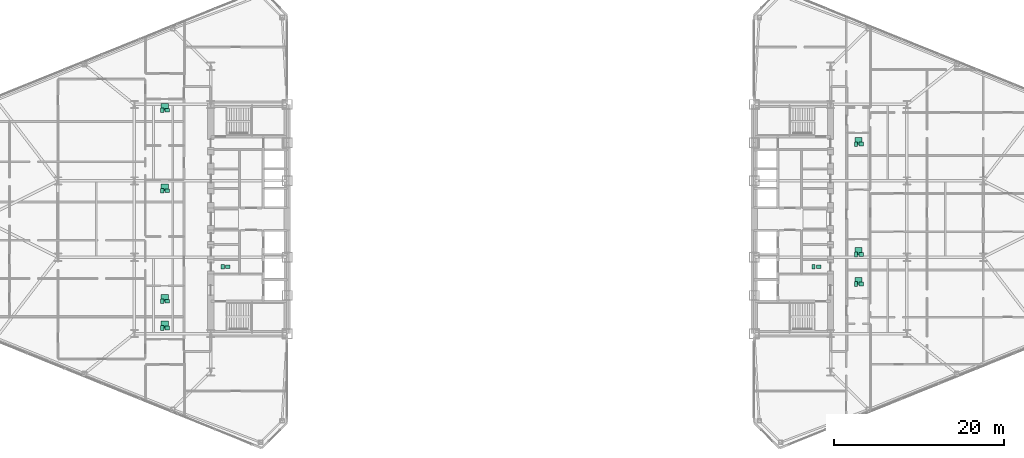
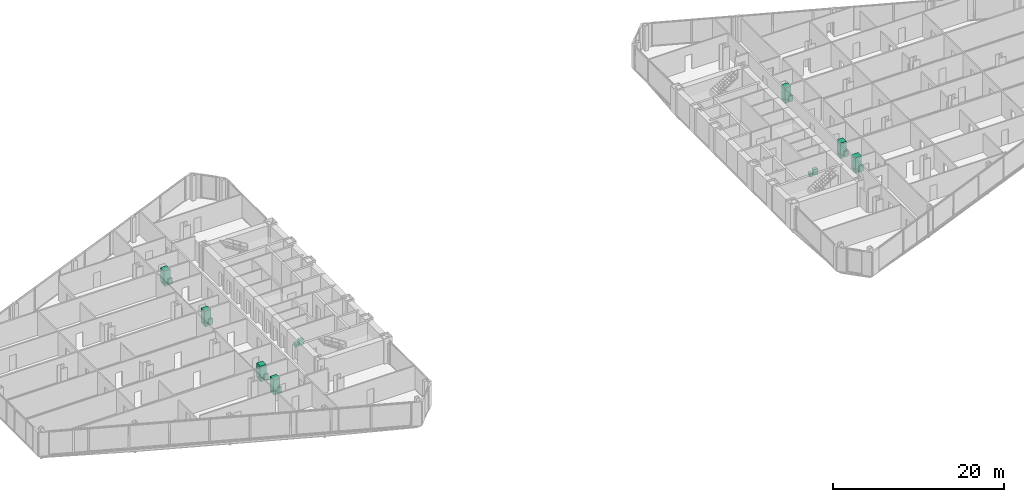
# One storey, part 25 of 25: 25 sanitary terminals.
"""IFC4 building model written with IfcOpenShell, lengths in metres."""

import ifcopenshell
import ifcopenshell.guid

model = None  # the IFC model being written
_history = None  # IfcOwnerHistory: only IFC2X3 demands one
_inside = {}  # id of a spatial element -> (the spatial element, [elements in it])
_under = {}  # id of a project, library or spatial element -> (it, [spatial elements below it])
_declared = {}  # id of a project -> (the project, [libraries it declares])
_typed = {}  # id of a type object -> (the type object, [elements of that type])
_made_of = {}  # id of a material, layer set ... -> (it, [elements and type objects made of it])


def new_model(schema):
    """Start an empty IFC model of exactly this schema.

    Asked for "IFC4X3", IfcOpenShell would pick the latest addendum, in which some entities
    have other attributes; the version numbers below select the first issue.
    IFC2X3 requires an IfcOwnerHistory on every rooted entity: one is made here for all.
    """
    global model, _history
    if schema == "IFC4X3":
        model = ifcopenshell.file(schema_version=(4, 3, 0, 0))
    else:
        model = ifcopenshell.file(schema=schema)
    _inside.clear()
    _under.clear()
    _declared.clear()
    _typed.clear()
    _made_of.clear()
    _history = None
    if model.schema == "IFC2X3":
        org = make("IfcOrganization", Name="unknown")
        user = make(
            "IfcPersonAndOrganization",
            ThePerson=make("IfcPerson", FamilyName="unknown"),
            TheOrganization=org,
        )
        app = make(
            "IfcApplication",
            ApplicationDeveloper=org,
            Version="unknown",
            ApplicationFullName="unknown",
            ApplicationIdentifier="unknown",
        )
        _history = make(
            "IfcOwnerHistory",
            OwningUser=user,
            OwningApplication=app,
            ChangeAction="ADDED",
            CreationDate=0,
        )
    return model


def make(cls, **values):
    """One entity of the class cls with the attributes given. An attribute that is None is left unset."""
    return model.create_entity(
        cls, **{name: value for name, value in values.items() if value is not None}
    )


def rooted(cls, **values):
    """An entity with a GlobalId (a new one), such as an element, a storey or a relation."""
    return make(cls, GlobalId=ifcopenshell.guid.new(), OwnerHistory=_history, **values)


def si_unit(unit_type, name, prefix=None):
    """IfcSIUnit, for example si_unit("LENGTHUNIT", "METRE", prefix="MILLI")."""
    return make("IfcSIUnit", UnitType=unit_type, Prefix=prefix, Name=name)


def assignment(units):
    """IfcUnitAssignment: the units of a project."""
    return None if units is None else make("IfcUnitAssignment", Units=units)


def point(xyz):
    """IfcCartesianPoint."""
    return None if xyz is None else make("IfcCartesianPoint", Coordinates=xyz)


def direction(xyz):
    """IfcDirection."""
    return None if xyz is None else make("IfcDirection", DirectionRatios=xyz)


def frame(location, z_axis=None, x_axis=None):
    """IfcAxis2Placement3D, a coordinate frame: its origin and axes. An axis left out is left unset."""
    return make(
        "IfcAxis2Placement3D",
        Location=point(location),
        Axis=direction(z_axis),
        RefDirection=direction(x_axis),
    )


def frame_2d(location, x_axis=None):
    """IfcAxis2Placement2D, a coordinate frame in the plane: its origin and x axis."""
    return make(
        "IfcAxis2Placement2D", Location=point(location), RefDirection=direction(x_axis)
    )


def origin():
    """The frame at (0, 0, 0) with its axes left unset."""
    return frame((0.0, 0.0, 0.0))


def origin_2d():
    """The frame at (0, 0) in the plane with its x axis left unset."""
    return frame_2d((0.0, 0.0))


def place(relative_to, where):
    """IfcLocalPlacement: puts the frame where relative to a parent placement (None: the world)."""
    return make(
        "IfcLocalPlacement", PlacementRelTo=relative_to, RelativePlacement=where
    )


def context(
    kind, dimensions, precision=None, world=None, true_north=None, identifier=None
):
    """IfcGeometricRepresentationContext, for example the 3D "Model" context."""
    return make(
        "IfcGeometricRepresentationContext",
        ContextIdentifier=identifier,
        ContextType=kind,
        CoordinateSpaceDimension=dimensions,
        Precision=precision,
        WorldCoordinateSystem=world,
        TrueNorth=true_north,
    )


def subcontext(parent, identifier, kind, view, scale=None):
    """IfcGeometricRepresentationSubContext, for example "Body" below "Model"."""
    return make(
        "IfcGeometricRepresentationSubContext",
        ContextIdentifier=identifier,
        ContextType=kind,
        ParentContext=parent,
        TargetScale=scale,
        TargetView=view,
    )


def project(units=None, contexts=None):
    """IfcProject with its units and contexts."""
    return rooted(
        "IfcProject",
        Name="project",
        RepresentationContexts=contexts,
        UnitsInContext=assignment(units),
    )


def spatial(cls, under=None, at=None, **own):
    """A site, building, storey or space (cls), placed at a placement, below another one or the project."""
    s = rooted(cls, ObjectPlacement=at, **own)
    if under is not None:
        _under.setdefault(under.id(), (under, []))[1].append(s)
    return s


def profile(cls, at=None, kind="AREA", **sizes):
    """A parametric profile (cls). Its sizes go by their IFC names, for example OverallWidth=200.0."""
    return make(cls, ProfileType=kind, Position=at, **sizes)


def rectangle(**sizes):
    """IfcRectangleProfileDef."""
    return profile("IfcRectangleProfileDef", **sizes)


def extrude(swept, where, along, depth):
    """IfcExtrudedAreaSolid: the profile swept, set in the frame where, extruded along a direction by depth."""
    return make(
        "IfcExtrudedAreaSolid",
        SweptArea=swept,
        Position=where,
        ExtrudedDirection=direction(along),
        Depth=depth,
    )


def shape(context_of_items, identifier, shape_type, items):
    """IfcShapeRepresentation: the items that make up one representation, for example the "Body"."""
    return make(
        "IfcShapeRepresentation",
        ContextOfItems=context_of_items,
        RepresentationIdentifier=identifier,
        RepresentationType=shape_type,
        Items=items,
    )


def source(mapping_origin, context_of_items, identifier, shape_type, items):
    """IfcRepresentationMap: a shape defined once, which mapped items show again and again."""
    return make(
        "IfcRepresentationMap",
        MappingOrigin=mapping_origin,
        MappedRepresentation=shape(context_of_items, identifier, shape_type, items),
    )


def transform(
    local_origin,
    x_axis=None,
    y_axis=None,
    z_axis=None,
    scale=None,
    scale2=None,
    scale3=None,
    uniform=True,
):
    """IfcCartesianTransformationOperator3D, or its non-uniform kind. x_axis, y_axis, z_axis: its Axis1, 2, 3."""
    if uniform:
        return make(
            "IfcCartesianTransformationOperator3D",
            Axis1=direction(x_axis),
            Axis2=direction(y_axis),
            LocalOrigin=point(local_origin),
            Scale=scale,
            Axis3=direction(z_axis),
        )
    return make(
        "IfcCartesianTransformationOperator3DnonUniform",
        Axis1=direction(x_axis),
        Axis2=direction(y_axis),
        LocalOrigin=point(local_origin),
        Scale=scale,
        Axis3=direction(z_axis),
        Scale2=scale2,
        Scale3=scale3,
    )


def mapped(mapping_source, mapping_target):
    """IfcMappedItem: shows the shape of a source again, moved by a transform."""
    return make(
        "IfcMappedItem", MappingSource=mapping_source, MappingTarget=mapping_target
    )


def material(Name=None, Category=None):
    """IfcMaterial."""
    return make("IfcMaterial", Name=Name, Category=Category)


def made_of(thing, what):
    """Note that an element or type object is made of a material, layer set ...; save() writes the relation."""
    if what is not None:
        _made_of.setdefault(what.id(), (what, []))[1].append(thing)
    return thing


def type_object(cls, material=None, **own):
    """A type object (cls), such as IfcWallType, which elements share."""
    return made_of(rooted(cls, **own), material)


def type_shapes(of_type, sources):
    """Give a type object the sources (RepresentationMaps) that its elements show as mapped items."""
    of_type.RepresentationMaps = sources


def element(
    cls,
    number,
    at=None,
    inside=None,
    cuts=None,
    type_object=None,
    material=None,
    context=None,
    identifier="Body",
    shape_type=None,
    held_by="IfcProductDefinitionShape",
    body=None,
    shapes=None,
    **own,
):
    """One element of the class cls, such as IfcWall. Its Tag is "e" and its number.

    at: its placement. inside: the storey or other place that contains it. cuts: it is an
    opening in that element (IfcRelVoidsElement). A single representation is given by context,
    identifier, shape_type and body (its items); several are given by shapes. held_by: the class
    of the entity that holds the representations. save() writes the other relations.
    """
    e = rooted(cls, Tag="e%d" % number, ObjectPlacement=at, **own)
    if body is not None:
        shapes = [shape(context, identifier, shape_type, body)]
    if shapes is not None:
        e.Representation = make(held_by, Representations=shapes)
    if inside is not None:
        _inside.setdefault(inside.id(), (inside, []))[1].append(e)
    if cuts is not None:
        rooted(
            "IfcRelVoidsElement", RelatingBuildingElement=cuts, RelatedOpeningElement=e
        )
    if type_object is not None:
        _typed.setdefault(type_object.id(), (type_object, []))[1].append(e)
    return made_of(e, material)


def aggregate(whole, parts):
    """IfcRelAggregates: a whole, such as a stair, and the parts it consists of."""
    return rooted("IfcRelAggregates", RelatingObject=whole, RelatedObjects=parts)


def save(model, path):
    """Write the relations noted so far, then the file.

    IfcRelAggregates (storeys below a building ...), IfcRelContainedInSpatialStructure (elements
    in a storey), IfcRelDefinesByType, IfcRelAssociatesMaterial and IfcRelDeclares: one each for
    every whole, place, type object, material and project.
    """
    for whole, parts in _under.values():
        aggregate(whole, parts)
    for where, things in _inside.values():
        rooted(
            "IfcRelContainedInSpatialStructure",
            RelatedElements=things,
            RelatingStructure=where,
        )
    for kind, things in _typed.values():
        rooted("IfcRelDefinesByType", RelatedObjects=things, RelatingType=kind)
    for what, things in _made_of.values():
        rooted("IfcRelAssociatesMaterial", RelatedObjects=things, RelatingMaterial=what)
    for by, libraries in _declared.values():
        rooted("IfcRelDeclares", RelatingContext=by, RelatedDefinitions=libraries)
    model.write(path)


model = new_model("IFC4")

# Units and contexts
model_context = context("Model", 3, precision=1e-05, world=origin(), true_north=direction((0.0, 1.0)))
body_context = subcontext(model_context, "Body", "Model", "MODEL_VIEW")
ifc_project = project(units=[si_unit("LENGTHUNIT", "METRE"), si_unit("AREAUNIT", "SQUARE_METRE"), si_unit("VOLUMEUNIT", "CUBIC_METRE"), si_unit("PLANEANGLEUNIT", "RADIAN"), si_unit("MASSUNIT", "GRAM", prefix="KILO")], contexts=[model_context])

# Site, building, storey
site_placement = place(None, origin())
site = spatial("IfcSite", under=ifc_project, at=site_placement, CompositionType="ELEMENT")
building_placement = place(site_placement, origin())
building = spatial("IfcBuilding", under=site, at=building_placement, Name="Seokmaru Belvedere", CompositionType="ELEMENT")
storey_placement = place(building_placement, frame((0.0, 0.0, 33.300048828125)))
storey = spatial("IfcBuildingStorey", under=building, at=storey_placement, Name="L08", CompositionType="ELEMENT", Elevation=33.300048828125)

# Sanitary terminals
ifc_material_1 = material(Name="Vitreous China Sanitaryware")
sanitary_terminal_type_1 = type_object("IfcSanitaryTerminalType", Name="Wall-Hung Vitreous China WC Pan", PredefinedType="TOILETPAN", material=ifc_material_1)
shared_shape_1 = source(origin(), body_context, "Body", "SweptSolid", [
    extrude(rectangle(XDim=0.3798828125, YDim=0.56005859375, at=origin_2d()), origin(), (0.0, 0.0, 1.0), 0.419921875),
])
type_shapes(sanitary_terminal_type_1, [shared_shape_1])
for number, where, z_axis, x_axis, name in (
    (1, (-35.10009765625, -5.625, 0.0), (0.0, 0.0, 1.0), (1.0, 0.0, 0.0), "L08 Vitreous China WC 0038"),
    (2, (34.5, -5.625, 0.0), (0.0, 0.0, 1.0), (1.0, 0.0, 0.0), "L08 Vitreous China WC 0039"),
    (3, (-42.22509765625, -12.822021484375, 0.0), (0.0, 0.0, 1.0), (1.0, 0.0, 0.0), "L08 Vitreous China WC 0040"),
    (4, (-42.22509765625, -9.677978515625, 0.0), (0.0, 0.0, 1.0), (1.0, 0.0, 0.0), "L08 Vitreous China WC 0041"),
    (5, (-42.22509765625, 3.322021484375, 0.0), (0.0, 0.0, 1.0), (1.0, 0.0, 0.0), "L08 Vitreous China WC 0042"),
    (6, (-42.22509765625, 12.822021484375, 0.0), (0.0, 0.0, 1.0), (1.0, 0.0, 0.0), "L08 Vitreous China WC 0043"),
    (7, (39.5, -7.6640625, 0.0), (0.0, 0.0, 1.0), (1.0, 0.0, 0.0), "L08 Vitreous China WC 0044"),
    (8, (39.5, -4.177978515625, 0.0), (0.0, 0.0, 1.0), (1.0, 0.0, 0.0), "L08 Vitreous China WC 0045"),
    (9, (39.5, 8.822021484375, 0.0), (0.0, 0.0, 1.0), (1.0, 0.0, 0.0), "L08 Vitreous China WC 0046"),
):
    element("IfcSanitaryTerminal", number, at=place(storey_placement, frame(where, z_axis=z_axis, x_axis=x_axis)), inside=storey, type_object=sanitary_terminal_type_1, Name=name, PredefinedType="TOILETPAN", context=body_context, shape_type="MappedRepresentation", body=[
        mapped(shared_shape_1, transform((0.0, 0.0, 0.0), scale=1.0)),
    ])
sanitary_terminal_type_2 = type_object("IfcSanitaryTerminalType", Name="Countertop Ceramic Washhand Basin", PredefinedType="WASHHANDBASIN", material=ifc_material_1)
shared_shape_2 = source(origin(), body_context, "Body", "SweptSolid", [
    extrude(rectangle(XDim=0.550048828125, YDim=0.449951171875, at=origin_2d()), origin(), (0.0, 0.0, 1.0), 0.820068359375),
])
type_shapes(sanitary_terminal_type_2, [shared_shape_2])
for number, where, z_axis, x_axis, name in (
    (10, (-34.5, -5.625, 0.0), (0.0, 0.0, 1.0), (1.0, 0.0, 0.0), "L08 Ceramic Washhand Basin 0038"),
    (11, (35.10009765625, -5.625, 0.0), (0.0, 0.0, 1.0), (1.0, 0.0, 0.0), "L08 Ceramic Washhand Basin 0039"),
    (12, (-41.625, -12.822021484375, 0.0), (0.0, 0.0, 1.0), (1.0, 0.0, 0.0), "L08 Ceramic Washhand Basin 0040"),
    (13, (-41.625, -9.677978515625, 0.0), (0.0, 0.0, 1.0), (1.0, 0.0, 0.0), "L08 Ceramic Washhand Basin 0041"),
    (14, (-41.625, 3.322021484375, 0.0), (0.0, 0.0, 1.0), (1.0, 0.0, 0.0), "L08 Ceramic Washhand Basin 0042"),
    (15, (-41.625, 12.822021484375, 0.0), (0.0, 0.0, 1.0), (1.0, 0.0, 0.0), "L08 Ceramic Washhand Basin 0043"),
    (16, (40.10009765625, -7.6640625, 0.0), (0.0, 0.0, 1.0), (1.0, 0.0, 0.0), "L08 Ceramic Washhand Basin 0044"),
    (17, (40.10009765625, -4.177978515625, 0.0), (0.0, 0.0, 1.0), (1.0, 0.0, 0.0), "L08 Ceramic Washhand Basin 0045"),
    (18, (40.10009765625, 8.822021484375, 0.0), (0.0, 0.0, 1.0), (1.0, 0.0, 0.0), "L08 Ceramic Washhand Basin 0046"),
):
    element("IfcSanitaryTerminal", number, at=place(storey_placement, frame(where, z_axis=z_axis, x_axis=x_axis)), inside=storey, type_object=sanitary_terminal_type_2, Name=name, PredefinedType="WASHHANDBASIN", context=body_context, shape_type="MappedRepresentation", body=[
        mapped(shared_shape_2, transform((0.0, 0.0, 0.0), scale=1.0)),
    ])
ifc_material_2 = material(Name="Stainless Steel 316", Category="steel")
sanitary_terminal_type_3 = type_object("IfcSanitaryTerminalType", Name="Walk-In Thermostatic Rain Shower Enclosure", PredefinedType="SHOWER", material=ifc_material_2)
shared_shape_3 = source(origin(), body_context, "Body", "SweptSolid", [
    extrude(rectangle(XDim=0.85009765625, YDim=0.85009765625, at=origin_2d()), origin(), (0.0, 0.0, 1.0), 2.050048828125),
])
type_shapes(sanitary_terminal_type_3, [shared_shape_3])
for number, where, z_axis, x_axis, name in (
    (19, (-41.925048828125, -12.44189453125, 0.0), (0.0, 0.0, 1.0), (1.0, 0.0, 0.0), "L08 Walk-In Shower 0040"),
    (20, (-41.925048828125, -9.298095703125, 0.0), (0.0, 0.0, 1.0), (1.0, 0.0, 0.0), "L08 Walk-In Shower 0041"),
    (21, (-41.925048828125, 3.701904296875, 0.0), (0.0, 0.0, 1.0), (1.0, 0.0, 0.0), "L08 Walk-In Shower 0042"),
    (22, (-41.925048828125, 13.202880859375, 0.0), (0.0, 0.0, 1.0), (1.0, 0.0, 0.0), "L08 Walk-In Shower 0043"),
    (23, (39.800048828125, -7.283935546875, 0.0), (0.0, 0.0, 1.0), (1.0, 0.0, 0.0), "L08 Walk-In Shower 0044"),
    (24, (39.800048828125, -3.798095703125, 0.0), (0.0, 0.0, 1.0), (1.0, 0.0, 0.0), "L08 Walk-In Shower 0045"),
    (25, (39.800048828125, 9.202880859375, 0.0), (0.0, 0.0, 1.0), (1.0, 0.0, 0.0), "L08 Walk-In Shower 0046"),
):
    element("IfcSanitaryTerminal", number, at=place(storey_placement, frame(where, z_axis=z_axis, x_axis=x_axis)), inside=storey, type_object=sanitary_terminal_type_3, Name=name, PredefinedType="SHOWER", context=body_context, shape_type="MappedRepresentation", body=[
        mapped(shared_shape_3, transform((0.0, 0.0, 0.0), scale=1.0)),
    ])

save(model, "model.ifc")
